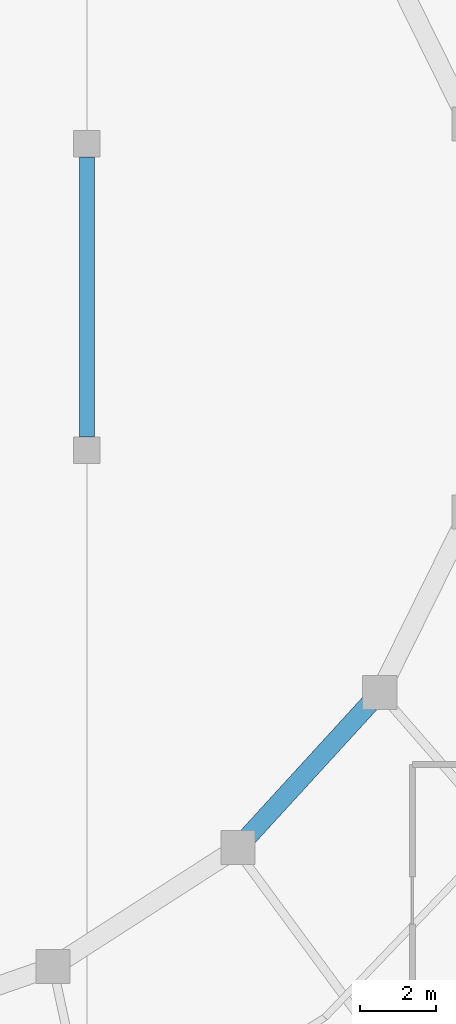
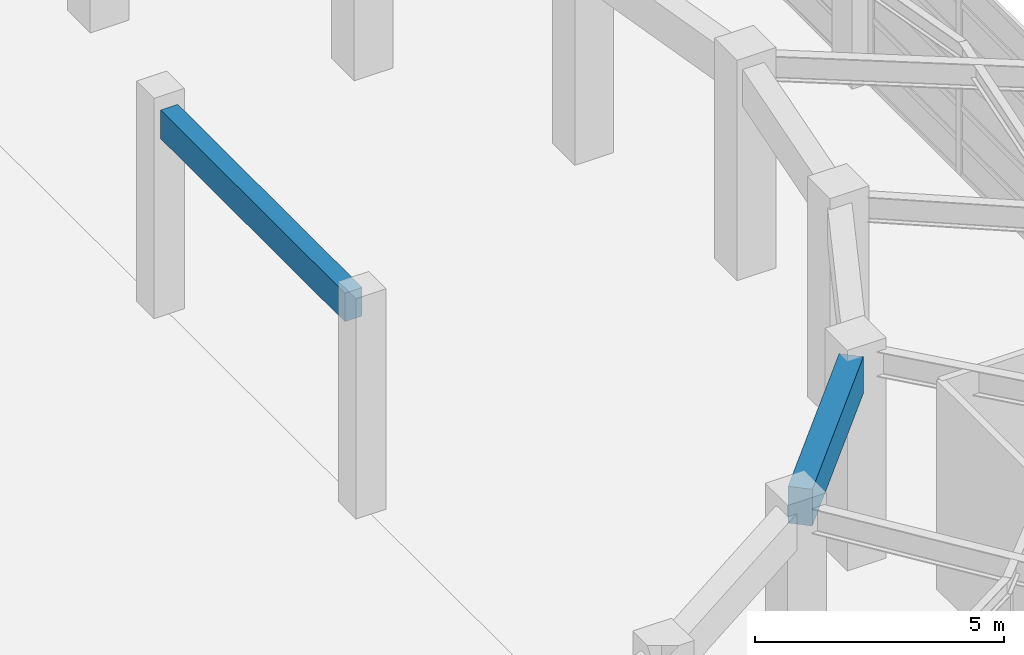
# One storey, part 7 of 52: 2 beams.
"""IFC4 building model written with IfcOpenShell, lengths in metres."""

from ifc_helpers import new_model, si_unit, direction, frame, origin, origin_2d, place, context, subcontext, project, spatial, rectangle, extrude, material, material_profile, profile_set, type_object, element, save


model = new_model("IFC4")

# Units and contexts
model_context = context("Model", 3, precision=1e-05, world=origin(), true_north=direction((0.0, 1.0)))
body_context = subcontext(model_context, "Body", "Model", "MODEL_VIEW")
ifc_project = project(units=[si_unit("LENGTHUNIT", "METRE"), si_unit("AREAUNIT", "SQUARE_METRE"), si_unit("VOLUMEUNIT", "CUBIC_METRE"), si_unit("PLANEANGLEUNIT", "RADIAN"), si_unit("MASSUNIT", "GRAM", prefix="KILO")], contexts=[model_context])

# Site, building, storey
site_placement = place(None, origin())
site = spatial("IfcSite", under=ifc_project, at=site_placement, CompositionType="ELEMENT")
building_placement = place(site_placement, origin())
building = spatial("IfcBuilding", under=site, at=building_placement, Name="Parian Resonance Hall", CompositionType="ELEMENT")
storey_placement = place(building_placement, origin())
storey = spatial("IfcBuildingStorey", under=building, at=storey_placement, Name="L00", CompositionType="ELEMENT", Elevation=0.0)

# Beams
ifc_material_1 = material(Name="Concrete C40/50", Category="concrete")
ifc_material_profile_1 = material_profile(ifc_material_1, rectangle(XDim=0.39990234375, YDim=0.699951171875, at=origin_2d()), Name="RC-BM-400x700")
ifc_profile_set_1 = profile_set([ifc_material_profile_1], Name="Concrete C40/50")
beam_type_1 = type_object("IfcBeamType", Name="BM-RC400x700", PredefinedType="BEAM", material=ifc_profile_set_1)
beam_1_placement = place(storey_placement, frame((56.699951171875, 40.85009765625, 4.7099609375), z_axis=(0.0, 1.0, 0.0), x_axis=(-1.0, 0.0, 0.0)))
element("IfcBeam", 1, at=beam_1_placement, inside=storey, type_object=beam_type_1, Name="GY-L00-0421", PredefinedType="BEAM", context=body_context, shape_type="SweptSolid", body=[
    extrude(rectangle(XDim=0.39990234375, YDim=0.699951171875, at=origin_2d()), origin(), (0.0, 0.0, 1.0), 7.39990234375),
])
ifc_material_2 = material(Name="Concrete C40/50", Category="concrete")
ifc_material_profile_2 = material_profile(ifc_material_2, rectangle(XDim=0.5, YDim=0.89990234375, at=origin_2d()), Name="RC-BM-500x900")
ifc_profile_set_2 = profile_set([ifc_material_profile_2], Name="Concrete C40/50")
beam_type_2 = type_object("IfcBeamType", Name="BM-RC500x900", PredefinedType="USERDEFINED", material=ifc_profile_set_2)
beam_2_placement = place(storey_placement, frame((60.957763671875, 30.29443359375, 4.679931640625), z_axis=(0.674892190981, 0.737916343872, 0.0), x_axis=(-0.737916343872, 0.674892190981, 0.0)))
element("IfcBeam", 2, at=beam_2_placement, inside=storey, type_object=beam_type_2, Name="Concert hall drum ring beam L00-22", ObjectType="GIRDER", PredefinedType="USERDEFINED", context=body_context, shape_type="SweptSolid", body=[
    extrude(rectangle(XDim=0.5, YDim=0.89990234375, at=origin_2d()), origin(), (0.0, 0.0, 1.0), 4.757080078125),
])

save(model, "model.ifc")
